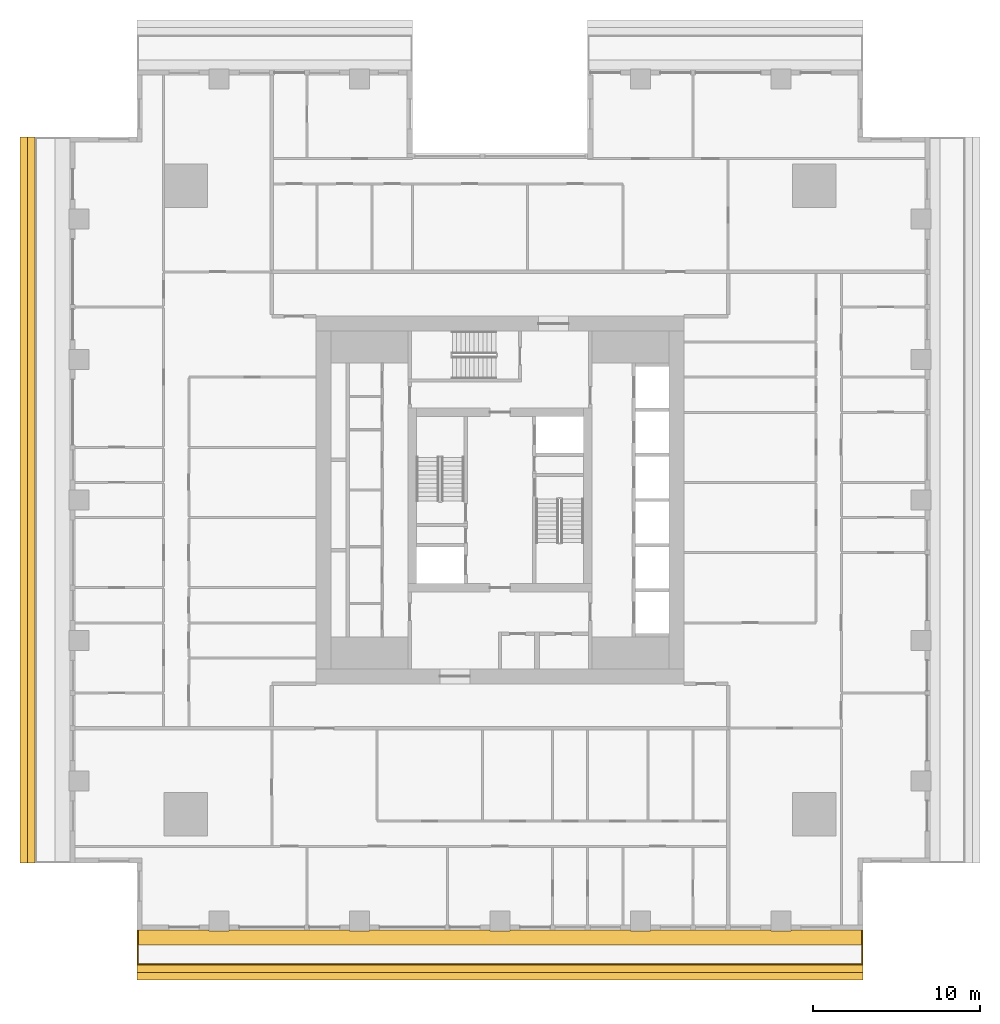
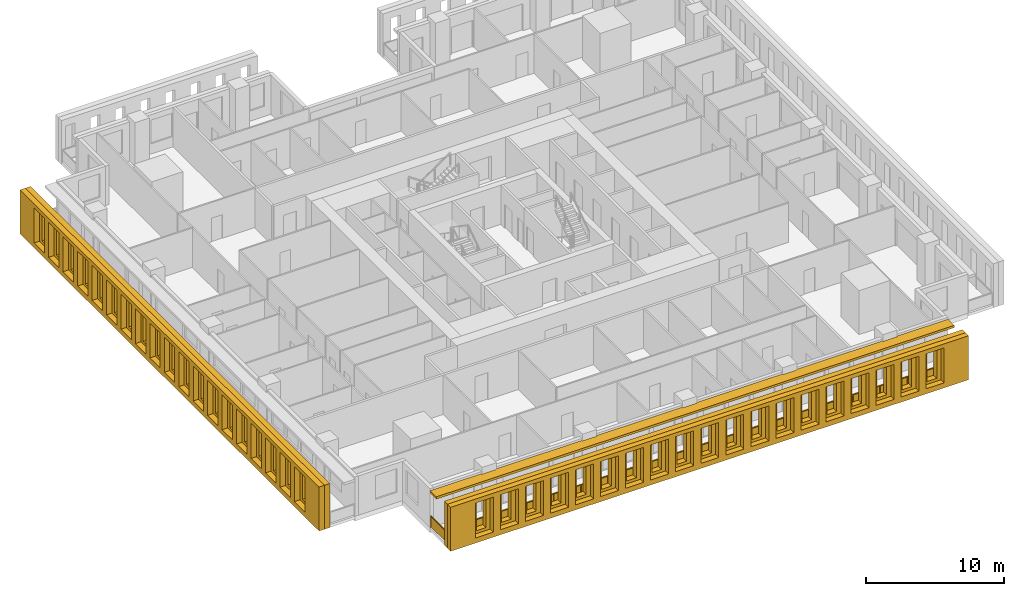
# One storey, part 10 of 15: 5 shading devices, 1 railing.
"""IFC4 building model written with IfcOpenShell, lengths in metres."""

from ifc_helpers import new_model, si_unit, direction, frame, origin, origin_2d, place, context, subcontext, project, spatial, polyline, rectangle, outline, extrude, material, layer, layer_set, type_object, element, save


model = new_model("IFC4")

# Units and contexts
model_context = context("Model", 3, precision=1e-05, world=origin(), true_north=direction((0.0, 1.0)))
body_context = subcontext(model_context, "Body", "Model", "MODEL_VIEW")
ifc_project = project(units=[si_unit("LENGTHUNIT", "METRE"), si_unit("AREAUNIT", "SQUARE_METRE"), si_unit("VOLUMEUNIT", "CUBIC_METRE"), si_unit("PLANEANGLEUNIT", "RADIAN"), si_unit("MASSUNIT", "GRAM", prefix="KILO")], contexts=[model_context])

# Site, building, storey
site_placement = place(None, origin())
site = spatial("IfcSite", under=ifc_project, at=site_placement, CompositionType="ELEMENT")
building_placement = place(site_placement, origin())
building = spatial("IfcBuilding", under=site, at=building_placement, Name="Khepri Terraces", CompositionType="ELEMENT")
storey_placement = place(building_placement, frame((0.0, 0.0, 145.5)))
storey = spatial("IfcBuildingStorey", under=building, at=storey_placement, Name="L34", CompositionType="ELEMENT", Elevation=145.5)

# Railing
ifc_material_1 = material(Name="Stainless steel grade 316", Category="steel")
railing_type = type_object("IfcRailingType", Name="GRD-BAL-1100", PredefinedType="GUARDRAIL", material=ifc_material_1)
railing_placement = place(storey_placement, frame((-21.669921875, -25.719970703125, 0.0)))
element("IfcRailing", 1, at=railing_placement, inside=storey, type_object=railing_type, Name="Balcony guard L34 S", PredefinedType="GUARDRAIL", context=body_context, shape_type="SweptSolid", body=[
    extrude(rectangle(XDim=0.050048828125, YDim=0.06005859375, at=origin_2d()), frame((0.0, 0.0, 1.070068359375), z_axis=(0.0, -1.0, 0.0), x_axis=(1.0, 0.0, 0.0)), (0.0, 0.0, 1.0), 2.050048828125),
    extrude(rectangle(XDim=2.0, YDim=0.011962890625, at=origin_2d()), frame((0.0, -1.02490234375, 0.10009765625), z_axis=(0.0, 0.0, 1.0), x_axis=(0.0, -1.0, 0.0)), (0.0, 0.0, 1.0), 0.93994140625),
    extrude(rectangle(XDim=0.050048828125, YDim=0.06005859375, at=origin_2d()), frame((0.0, -2.050048828125, 1.070068359375), z_axis=(1.0, 0.0, 0.0), x_axis=(0.0, 1.0, 0.0)), (0.0, 0.0, 1.0), 43.33984375),
    extrude(rectangle(XDim=2.23095703125, YDim=0.011962890625, at=origin_2d()), frame((1.140625, -2.050048828125, 0.10009765625), z_axis=(0.0, 0.0, 1.0), x_axis=(1.0, 0.0, 0.0)), (0.0, 0.0, 1.0), 0.93994140625),
    extrude(rectangle(XDim=2.23095703125, YDim=0.011962890625, at=origin_2d()), frame((3.421630859375, -2.050048828125, 0.10009765625), z_axis=(0.0, 0.0, 1.0), x_axis=(1.0, 0.0, 0.0)), (0.0, 0.0, 1.0), 0.93994140625),
    extrude(rectangle(XDim=2.23095703125, YDim=0.011962890625, at=origin_2d()), frame((5.70263671875, -2.050048828125, 0.10009765625), z_axis=(0.0, 0.0, 1.0), x_axis=(1.0, 0.0, 0.0)), (0.0, 0.0, 1.0), 0.93994140625),
    extrude(rectangle(XDim=2.23095703125, YDim=0.011962890625, at=origin_2d()), frame((7.983642578125, -2.050048828125, 0.10009765625), z_axis=(0.0, 0.0, 1.0), x_axis=(1.0, 0.0, 0.0)), (0.0, 0.0, 1.0), 0.93994140625),
    extrude(rectangle(XDim=2.23095703125, YDim=0.011962890625, at=origin_2d()), frame((10.2646484375, -2.050048828125, 0.10009765625), z_axis=(0.0, 0.0, 1.0), x_axis=(1.0, 0.0, 0.0)), (0.0, 0.0, 1.0), 0.93994140625),
    extrude(rectangle(XDim=2.23095703125, YDim=0.011962890625, at=origin_2d()), frame((12.545654296875, -2.050048828125, 0.10009765625), z_axis=(0.0, 0.0, 1.0), x_axis=(1.0, 0.0, 0.0)), (0.0, 0.0, 1.0), 0.93994140625),
    extrude(rectangle(XDim=2.23095703125, YDim=0.011962890625, at=origin_2d()), frame((14.826904296875, -2.050048828125, 0.10009765625), z_axis=(0.0, 0.0, 1.0), x_axis=(1.0, 0.0, 0.0)), (0.0, 0.0, 1.0), 0.93994140625),
    extrude(rectangle(XDim=2.23095703125, YDim=0.011962890625, at=origin_2d()), frame((17.10791015625, -2.050048828125, 0.10009765625), z_axis=(0.0, 0.0, 1.0), x_axis=(1.0, 0.0, 0.0)), (0.0, 0.0, 1.0), 0.93994140625),
    extrude(rectangle(XDim=2.23095703125, YDim=0.011962890625, at=origin_2d()), frame((19.388916015625, -2.050048828125, 0.10009765625), z_axis=(0.0, 0.0, 1.0), x_axis=(1.0, 0.0, 0.0)), (0.0, 0.0, 1.0), 0.93994140625),
    extrude(rectangle(XDim=2.23095703125, YDim=0.011962890625, at=origin_2d()), frame((21.669921875, -2.050048828125, 0.10009765625), z_axis=(0.0, 0.0, 1.0), x_axis=(1.0, 0.0, 0.0)), (0.0, 0.0, 1.0), 0.93994140625),
    extrude(rectangle(XDim=2.23095703125, YDim=0.011962890625, at=origin_2d()), frame((23.950927734375, -2.050048828125, 0.10009765625), z_axis=(0.0, 0.0, 1.0), x_axis=(1.0, 0.0, 0.0)), (0.0, 0.0, 1.0), 0.93994140625),
    extrude(rectangle(XDim=2.23095703125, YDim=0.011962890625, at=origin_2d()), frame((26.23193359375, -2.050048828125, 0.10009765625), z_axis=(0.0, 0.0, 1.0), x_axis=(1.0, 0.0, 0.0)), (0.0, 0.0, 1.0), 0.93994140625),
    extrude(rectangle(XDim=2.23095703125, YDim=0.011962890625, at=origin_2d()), frame((28.512939453125, -2.050048828125, 0.10009765625), z_axis=(0.0, 0.0, 1.0), x_axis=(1.0, 0.0, 0.0)), (0.0, 0.0, 1.0), 0.93994140625),
    extrude(rectangle(XDim=2.23095703125, YDim=0.011962890625, at=origin_2d()), frame((30.794189453125, -2.050048828125, 0.10009765625), z_axis=(0.0, 0.0, 1.0), x_axis=(1.0, 0.0, 0.0)), (0.0, 0.0, 1.0), 0.93994140625),
    extrude(rectangle(XDim=2.23095703125, YDim=0.011962890625, at=origin_2d()), frame((33.0751953125, -2.050048828125, 0.10009765625), z_axis=(0.0, 0.0, 1.0), x_axis=(1.0, 0.0, 0.0)), (0.0, 0.0, 1.0), 0.93994140625),
    extrude(rectangle(XDim=2.23095703125, YDim=0.011962890625, at=origin_2d()), frame((35.356201171875, -2.050048828125, 0.10009765625), z_axis=(0.0, 0.0, 1.0), x_axis=(1.0, 0.0, 0.0)), (0.0, 0.0, 1.0), 0.93994140625),
    extrude(rectangle(XDim=2.23095703125, YDim=0.011962890625, at=origin_2d()), frame((37.63720703125, -2.050048828125, 0.10009765625), z_axis=(0.0, 0.0, 1.0), x_axis=(1.0, 0.0, 0.0)), (0.0, 0.0, 1.0), 0.93994140625),
    extrude(rectangle(XDim=2.23095703125, YDim=0.011962890625, at=origin_2d()), frame((39.918212890625, -2.050048828125, 0.10009765625), z_axis=(0.0, 0.0, 1.0), x_axis=(1.0, 0.0, 0.0)), (0.0, 0.0, 1.0), 0.93994140625),
    extrude(rectangle(XDim=2.23095703125, YDim=0.011962890625, at=origin_2d()), frame((42.19921875, -2.050048828125, 0.10009765625), z_axis=(0.0, 0.0, 1.0), x_axis=(1.0, 0.0, 0.0)), (0.0, 0.0, 1.0), 0.93994140625),
    extrude(rectangle(XDim=0.050048828125, YDim=0.06005859375, at=origin_2d()), frame((43.33984375, -2.050048828125, 1.070068359375), z_axis=(0.0, 1.0, 0.0), x_axis=(-1.0, 0.0, 0.0)), (0.0, 0.0, 1.0), 2.050048828125),
    extrude(rectangle(XDim=2.0, YDim=0.011962890625, at=origin_2d()), frame((43.33984375, -1.02490234375, 0.10009765625), z_axis=(0.0, 0.0, 1.0), x_axis=(0.0, 1.0, 0.0)), (0.0, 0.0, 1.0), 0.93994140625),
    extrude(rectangle(XDim=0.050048828125, YDim=0.050048828125, at=origin_2d()), origin(), (0.0, 0.0, 1.0), 1.0400390625),
    extrude(rectangle(XDim=0.050048828125, YDim=0.050048828125, at=origin_2d()), frame((0.0, -2.050048828125, 0.0)), (0.0, 0.0, 1.0), 1.0400390625),
    extrude(rectangle(XDim=0.050048828125, YDim=0.050048828125, at=origin_2d()), frame((2.281005859375, -2.050048828125, 0.0)), (0.0, 0.0, 1.0), 1.0400390625),
    extrude(rectangle(XDim=0.050048828125, YDim=0.050048828125, at=origin_2d()), frame((4.56201171875, -2.050048828125, 0.0)), (0.0, 0.0, 1.0), 1.0400390625),
    extrude(rectangle(XDim=0.050048828125, YDim=0.050048828125, at=origin_2d()), frame((6.843017578125, -2.050048828125, 0.0)), (0.0, 0.0, 1.0), 1.0400390625),
    extrude(rectangle(XDim=0.050048828125, YDim=0.050048828125, at=origin_2d()), frame((9.124267578125, -2.050048828125, 0.0)), (0.0, 0.0, 1.0), 1.0400390625),
    extrude(rectangle(XDim=0.050048828125, YDim=0.050048828125, at=origin_2d()), frame((11.4052734375, -2.050048828125, 0.0)), (0.0, 0.0, 1.0), 1.0400390625),
    extrude(rectangle(XDim=0.050048828125, YDim=0.050048828125, at=origin_2d()), frame((13.686279296875, -2.050048828125, 0.0)), (0.0, 0.0, 1.0), 1.0400390625),
    extrude(rectangle(XDim=0.050048828125, YDim=0.050048828125, at=origin_2d()), frame((15.96728515625, -2.050048828125, 0.0)), (0.0, 0.0, 1.0), 1.0400390625),
    extrude(rectangle(XDim=0.050048828125, YDim=0.050048828125, at=origin_2d()), frame((18.248291015625, -2.050048828125, 0.0)), (0.0, 0.0, 1.0), 1.0400390625),
    extrude(rectangle(XDim=0.050048828125, YDim=0.050048828125, at=origin_2d()), frame((20.529296875, -2.050048828125, 0.0)), (0.0, 0.0, 1.0), 1.0400390625),
    extrude(rectangle(XDim=0.050048828125, YDim=0.050048828125, at=origin_2d()), frame((22.810546875, -2.050048828125, 0.0)), (0.0, 0.0, 1.0), 1.0400390625),
    extrude(rectangle(XDim=0.050048828125, YDim=0.050048828125, at=origin_2d()), frame((25.091552734375, -2.050048828125, 0.0)), (0.0, 0.0, 1.0), 1.0400390625),
    extrude(rectangle(XDim=0.050048828125, YDim=0.050048828125, at=origin_2d()), frame((27.37255859375, -2.050048828125, 0.0)), (0.0, 0.0, 1.0), 1.0400390625),
    extrude(rectangle(XDim=0.050048828125, YDim=0.050048828125, at=origin_2d()), frame((29.653564453125, -2.050048828125, 0.0)), (0.0, 0.0, 1.0), 1.0400390625),
    extrude(rectangle(XDim=0.050048828125, YDim=0.050048828125, at=origin_2d()), frame((31.9345703125, -2.050048828125, 0.0)), (0.0, 0.0, 1.0), 1.0400390625),
    extrude(rectangle(XDim=0.050048828125, YDim=0.050048828125, at=origin_2d()), frame((34.215576171875, -2.050048828125, 0.0)), (0.0, 0.0, 1.0), 1.0400390625),
    extrude(rectangle(XDim=0.050048828125, YDim=0.050048828125, at=origin_2d()), frame((36.496826171875, -2.050048828125, 0.0)), (0.0, 0.0, 1.0), 1.0400390625),
    extrude(rectangle(XDim=0.050048828125, YDim=0.050048828125, at=origin_2d()), frame((38.77783203125, -2.050048828125, 0.0)), (0.0, 0.0, 1.0), 1.0400390625),
    extrude(rectangle(XDim=0.050048828125, YDim=0.050048828125, at=origin_2d()), frame((41.058837890625, -2.050048828125, 0.0)), (0.0, 0.0, 1.0), 1.0400390625),
    extrude(rectangle(XDim=0.050048828125, YDim=0.050048828125, at=origin_2d()), frame((43.33984375, -2.050048828125, 0.0)), (0.0, 0.0, 1.0), 1.0400390625),
    extrude(rectangle(XDim=0.050048828125, YDim=0.050048828125, at=origin_2d()), frame((43.33984375, 0.0, 0.0)), (0.0, 0.0, 1.0), 1.0400390625),
])

# Shading devices
ifc_material_2 = material(Name="Precast concrete C50/60 warm stone", Category="masonry")
shading_device_type_1 = type_object("IfcShadingDeviceType", Name="SCR-CELL-INNER-450", PredefinedType="USERDEFINED", material=ifc_material_2)
shading_device_1_placement = place(storey_placement, frame((-21.719970703125, -27.820068359375, -0.25), z_axis=(0.0, -1.0, 0.0), x_axis=(1.0, 0.0, 0.0)))
element("IfcShadingDevice", 2, at=shading_device_1_placement, inside=storey, type_object=shading_device_type_1, Name="Cell screen L34 S in", ObjectType="SCREEN", PredefinedType="USERDEFINED", context=body_context, shape_type="SweptSolid", body=[
    extrude(outline(polyline([(0.0, 0.0), (43.43994140625, 0.0), (43.43994140625, 3.89990234375), (0.0, 3.89990234375), (0.0, 0.0)]), holes=[polyline([(0.318359375, 0.699951171875), (1.12158203125, 0.699951171875), (1.12158203125, 3.300048828125), (0.318359375, 3.300048828125), (0.318359375, 0.699951171875)]), polyline([(2.41845703125, 0.699951171875), (3.2216796875, 0.699951171875), (3.2216796875, 3.300048828125), (2.41845703125, 3.300048828125), (2.41845703125, 0.699951171875)]), polyline([(4.518310546875, 0.699951171875), (5.321533203125, 0.699951171875), (5.321533203125, 3.300048828125), (4.518310546875, 3.300048828125), (4.518310546875, 0.699951171875)]), polyline([(6.618408203125, 0.699951171875), (7.421630859375, 0.699951171875), (7.421630859375, 3.300048828125), (6.618408203125, 3.300048828125), (6.618408203125, 0.699951171875)]), polyline([(8.718505859375, 0.699951171875), (9.521484375, 0.699951171875), (9.521484375, 3.300048828125), (8.718505859375, 3.300048828125), (8.718505859375, 0.699951171875)]), polyline([(10.818359375, 0.699951171875), (11.62158203125, 0.699951171875), (11.62158203125, 3.300048828125), (10.818359375, 3.300048828125), (10.818359375, 0.699951171875)]), polyline([(12.91845703125, 0.699951171875), (13.7216796875, 0.699951171875), (13.7216796875, 3.300048828125), (12.91845703125, 3.300048828125), (12.91845703125, 0.699951171875)]), polyline([(15.018310546875, 0.699951171875), (15.821533203125, 0.699951171875), (15.821533203125, 3.300048828125), (15.018310546875, 3.300048828125), (15.018310546875, 0.699951171875)]), polyline([(17.118408203125, 0.699951171875), (17.921630859375, 0.699951171875), (17.921630859375, 3.300048828125), (17.118408203125, 3.300048828125), (17.118408203125, 0.699951171875)]), polyline([(19.218505859375, 0.699951171875), (20.021484375, 0.699951171875), (20.021484375, 3.300048828125), (19.218505859375, 3.300048828125), (19.218505859375, 0.699951171875)]), polyline([(21.318359375, 0.699951171875), (22.12158203125, 0.699951171875), (22.12158203125, 3.300048828125), (21.318359375, 3.300048828125), (21.318359375, 0.699951171875)]), polyline([(23.41845703125, 0.699951171875), (24.2216796875, 0.699951171875), (24.2216796875, 3.300048828125), (23.41845703125, 3.300048828125), (23.41845703125, 0.699951171875)]), polyline([(25.518310546875, 0.699951171875), (26.321533203125, 0.699951171875), (26.321533203125, 3.300048828125), (25.518310546875, 3.300048828125), (25.518310546875, 0.699951171875)]), polyline([(27.618408203125, 0.699951171875), (28.421630859375, 0.699951171875), (28.421630859375, 3.300048828125), (27.618408203125, 3.300048828125), (27.618408203125, 0.699951171875)]), polyline([(29.718505859375, 0.699951171875), (30.521484375, 0.699951171875), (30.521484375, 3.300048828125), (29.718505859375, 3.300048828125), (29.718505859375, 0.699951171875)]), polyline([(31.818359375, 0.699951171875), (32.62158203125, 0.699951171875), (32.62158203125, 3.300048828125), (31.818359375, 3.300048828125), (31.818359375, 0.699951171875)]), polyline([(33.91845703125, 0.699951171875), (34.7216796875, 0.699951171875), (34.7216796875, 3.300048828125), (33.91845703125, 3.300048828125), (33.91845703125, 0.699951171875)]), polyline([(36.018310546875, 0.699951171875), (36.821533203125, 0.699951171875), (36.821533203125, 3.300048828125), (36.018310546875, 3.300048828125), (36.018310546875, 0.699951171875)]), polyline([(38.118408203125, 0.699951171875), (38.921630859375, 0.699951171875), (38.921630859375, 3.300048828125), (38.118408203125, 3.300048828125), (38.118408203125, 0.699951171875)]), polyline([(40.218505859375, 0.699951171875), (41.021484375, 0.699951171875), (41.021484375, 3.300048828125), (40.218505859375, 3.300048828125), (40.218505859375, 0.699951171875)]), polyline([(42.318359375, 0.699951171875), (43.12158203125, 0.699951171875), (43.12158203125, 3.300048828125), (42.318359375, 3.300048828125), (42.318359375, 0.699951171875)])]), origin(), (0.0, 0.0, 1.0), 0.449951171875),
])
shading_device_2_placement = place(storey_placement, frame((-27.820068359375, 21.719970703125, -0.25), z_axis=(-1.0, 0.0, 0.0), x_axis=(0.0, -1.0, 0.0)))
element("IfcShadingDevice", 3, at=shading_device_2_placement, inside=storey, type_object=shading_device_type_1, Name="Cell screen L34 W in", ObjectType="SCREEN", PredefinedType="USERDEFINED", context=body_context, shape_type="SweptSolid", body=[
    extrude(outline(polyline([(0.0, 0.0), (43.43994140625, 0.0), (43.43994140625, 3.89990234375), (0.0, 3.89990234375), (0.0, 0.0)]), holes=[polyline([(0.318359375, 0.699951171875), (1.12158203125, 0.699951171875), (1.12158203125, 3.300048828125), (0.318359375, 3.300048828125), (0.318359375, 0.699951171875)]), polyline([(2.41845703125, 0.699951171875), (3.2216796875, 0.699951171875), (3.2216796875, 3.300048828125), (2.41845703125, 3.300048828125), (2.41845703125, 0.699951171875)]), polyline([(4.518310546875, 0.699951171875), (5.321533203125, 0.699951171875), (5.321533203125, 3.300048828125), (4.518310546875, 3.300048828125), (4.518310546875, 0.699951171875)]), polyline([(6.618408203125, 0.699951171875), (7.421630859375, 0.699951171875), (7.421630859375, 3.300048828125), (6.618408203125, 3.300048828125), (6.618408203125, 0.699951171875)]), polyline([(8.718505859375, 0.699951171875), (9.521484375, 0.699951171875), (9.521484375, 3.300048828125), (8.718505859375, 3.300048828125), (8.718505859375, 0.699951171875)]), polyline([(10.818359375, 0.699951171875), (11.62158203125, 0.699951171875), (11.62158203125, 3.300048828125), (10.818359375, 3.300048828125), (10.818359375, 0.699951171875)]), polyline([(12.91845703125, 0.699951171875), (13.7216796875, 0.699951171875), (13.7216796875, 3.300048828125), (12.91845703125, 3.300048828125), (12.91845703125, 0.699951171875)]), polyline([(15.018310546875, 0.699951171875), (15.821533203125, 0.699951171875), (15.821533203125, 3.300048828125), (15.018310546875, 3.300048828125), (15.018310546875, 0.699951171875)]), polyline([(17.118408203125, 0.699951171875), (17.921630859375, 0.699951171875), (17.921630859375, 3.300048828125), (17.118408203125, 3.300048828125), (17.118408203125, 0.699951171875)]), polyline([(19.218505859375, 0.699951171875), (20.021484375, 0.699951171875), (20.021484375, 3.300048828125), (19.218505859375, 3.300048828125), (19.218505859375, 0.699951171875)]), polyline([(21.318359375, 0.699951171875), (22.12158203125, 0.699951171875), (22.12158203125, 3.300048828125), (21.318359375, 3.300048828125), (21.318359375, 0.699951171875)]), polyline([(23.41845703125, 0.699951171875), (24.2216796875, 0.699951171875), (24.2216796875, 3.300048828125), (23.41845703125, 3.300048828125), (23.41845703125, 0.699951171875)]), polyline([(25.518310546875, 0.699951171875), (26.321533203125, 0.699951171875), (26.321533203125, 3.300048828125), (25.518310546875, 3.300048828125), (25.518310546875, 0.699951171875)]), polyline([(27.618408203125, 0.699951171875), (28.421630859375, 0.699951171875), (28.421630859375, 3.300048828125), (27.618408203125, 3.300048828125), (27.618408203125, 0.699951171875)]), polyline([(29.718505859375, 0.699951171875), (30.521484375, 0.699951171875), (30.521484375, 3.300048828125), (29.718505859375, 3.300048828125), (29.718505859375, 0.699951171875)]), polyline([(31.818359375, 0.699951171875), (32.62158203125, 0.699951171875), (32.62158203125, 3.300048828125), (31.818359375, 3.300048828125), (31.818359375, 0.699951171875)]), polyline([(33.91845703125, 0.699951171875), (34.7216796875, 0.699951171875), (34.7216796875, 3.300048828125), (33.91845703125, 3.300048828125), (33.91845703125, 0.699951171875)]), polyline([(36.018310546875, 0.699951171875), (36.821533203125, 0.699951171875), (36.821533203125, 3.300048828125), (36.018310546875, 3.300048828125), (36.018310546875, 0.699951171875)]), polyline([(38.118408203125, 0.699951171875), (38.921630859375, 0.699951171875), (38.921630859375, 3.300048828125), (38.118408203125, 3.300048828125), (38.118408203125, 0.699951171875)]), polyline([(40.218505859375, 0.699951171875), (41.021484375, 0.699951171875), (41.021484375, 3.300048828125), (40.218505859375, 3.300048828125), (40.218505859375, 0.699951171875)]), polyline([(42.318359375, 0.699951171875), (43.12158203125, 0.699951171875), (43.12158203125, 3.300048828125), (42.318359375, 3.300048828125), (42.318359375, 0.699951171875)])]), origin(), (0.0, 0.0, 1.0), 0.449951171875),
])
shading_device_type_2 = type_object("IfcShadingDeviceType", Name="SCR-CELL-OUTER-450", PredefinedType="USERDEFINED", material=ifc_material_2)
shading_device_3_placement = place(storey_placement, frame((-21.719970703125, -28.27001953125, -0.25), z_axis=(0.0, -1.0, 0.0), x_axis=(1.0, 0.0, 0.0)))
element("IfcShadingDevice", 4, at=shading_device_3_placement, inside=storey, type_object=shading_device_type_2, Name="Cell screen L34 S out", ObjectType="SCREEN", PredefinedType="USERDEFINED", context=body_context, shape_type="SweptSolid", body=[
    extrude(outline(polyline([(0.0, 0.0), (43.43994140625, 0.0), (43.43994140625, 3.89990234375), (0.0, 3.89990234375), (0.0, 0.0)]), holes=[polyline([(2.068359375, 0.449951171875), (3.571533203125, 0.449951171875), (3.571533203125, 3.550048828125), (2.068359375, 3.550048828125), (2.068359375, 0.449951171875)]), polyline([(4.16845703125, 0.449951171875), (5.671630859375, 0.449951171875), (5.671630859375, 3.550048828125), (4.16845703125, 3.550048828125), (4.16845703125, 0.449951171875)]), polyline([(6.268310546875, 0.449951171875), (7.771484375, 0.449951171875), (7.771484375, 3.550048828125), (6.268310546875, 3.550048828125), (6.268310546875, 0.449951171875)]), polyline([(8.368408203125, 0.449951171875), (9.87158203125, 0.449951171875), (9.87158203125, 3.550048828125), (8.368408203125, 3.550048828125), (8.368408203125, 0.449951171875)]), polyline([(10.468505859375, 0.449951171875), (11.9716796875, 0.449951171875), (11.9716796875, 3.550048828125), (10.468505859375, 3.550048828125), (10.468505859375, 0.449951171875)]), polyline([(12.568359375, 0.449951171875), (14.071533203125, 0.449951171875), (14.071533203125, 3.550048828125), (12.568359375, 3.550048828125), (12.568359375, 0.449951171875)]), polyline([(14.66845703125, 0.449951171875), (16.171630859375, 0.449951171875), (16.171630859375, 3.550048828125), (14.66845703125, 3.550048828125), (14.66845703125, 0.449951171875)]), polyline([(16.768310546875, 0.449951171875), (18.271484375, 0.449951171875), (18.271484375, 3.550048828125), (16.768310546875, 3.550048828125), (16.768310546875, 0.449951171875)]), polyline([(18.868408203125, 0.449951171875), (20.37158203125, 0.449951171875), (20.37158203125, 3.550048828125), (18.868408203125, 3.550048828125), (18.868408203125, 0.449951171875)]), polyline([(20.968505859375, 0.449951171875), (22.4716796875, 0.449951171875), (22.4716796875, 3.550048828125), (20.968505859375, 3.550048828125), (20.968505859375, 0.449951171875)]), polyline([(23.068359375, 0.449951171875), (24.571533203125, 0.449951171875), (24.571533203125, 3.550048828125), (23.068359375, 3.550048828125), (23.068359375, 0.449951171875)]), polyline([(25.16845703125, 0.449951171875), (26.671630859375, 0.449951171875), (26.671630859375, 3.550048828125), (25.16845703125, 3.550048828125), (25.16845703125, 0.449951171875)]), polyline([(27.268310546875, 0.449951171875), (28.771484375, 0.449951171875), (28.771484375, 3.550048828125), (27.268310546875, 3.550048828125), (27.268310546875, 0.449951171875)]), polyline([(29.368408203125, 0.449951171875), (30.87158203125, 0.449951171875), (30.87158203125, 3.550048828125), (29.368408203125, 3.550048828125), (29.368408203125, 0.449951171875)]), polyline([(31.468505859375, 0.449951171875), (32.9716796875, 0.449951171875), (32.9716796875, 3.550048828125), (31.468505859375, 3.550048828125), (31.468505859375, 0.449951171875)]), polyline([(33.568359375, 0.449951171875), (35.071533203125, 0.449951171875), (35.071533203125, 3.550048828125), (33.568359375, 3.550048828125), (33.568359375, 0.449951171875)]), polyline([(35.66845703125, 0.449951171875), (37.171630859375, 0.449951171875), (37.171630859375, 3.550048828125), (35.66845703125, 3.550048828125), (35.66845703125, 0.449951171875)]), polyline([(37.768310546875, 0.449951171875), (39.271484375, 0.449951171875), (39.271484375, 3.550048828125), (37.768310546875, 3.550048828125), (37.768310546875, 0.449951171875)]), polyline([(39.868408203125, 0.449951171875), (41.37158203125, 0.449951171875), (41.37158203125, 3.550048828125), (39.868408203125, 3.550048828125), (39.868408203125, 0.449951171875)])]), origin(), (0.0, 0.0, 1.0), 0.449951171875),
])
shading_device_4_placement = place(storey_placement, frame((-28.27001953125, 21.719970703125, -0.25), z_axis=(-1.0, 0.0, 0.0), x_axis=(0.0, -1.0, 0.0)))
element("IfcShadingDevice", 5, at=shading_device_4_placement, inside=storey, type_object=shading_device_type_2, Name="Cell screen L34 W out", ObjectType="SCREEN", PredefinedType="USERDEFINED", context=body_context, shape_type="SweptSolid", body=[
    extrude(outline(polyline([(0.0, 0.0), (43.43994140625, 0.0), (43.43994140625, 3.89990234375), (0.0, 3.89990234375), (0.0, 0.0)]), holes=[polyline([(2.068359375, 0.449951171875), (3.571533203125, 0.449951171875), (3.571533203125, 3.550048828125), (2.068359375, 3.550048828125), (2.068359375, 0.449951171875)]), polyline([(4.16845703125, 0.449951171875), (5.671630859375, 0.449951171875), (5.671630859375, 3.550048828125), (4.16845703125, 3.550048828125), (4.16845703125, 0.449951171875)]), polyline([(6.268310546875, 0.449951171875), (7.771484375, 0.449951171875), (7.771484375, 3.550048828125), (6.268310546875, 3.550048828125), (6.268310546875, 0.449951171875)]), polyline([(8.368408203125, 0.449951171875), (9.87158203125, 0.449951171875), (9.87158203125, 3.550048828125), (8.368408203125, 3.550048828125), (8.368408203125, 0.449951171875)]), polyline([(10.468505859375, 0.449951171875), (11.9716796875, 0.449951171875), (11.9716796875, 3.550048828125), (10.468505859375, 3.550048828125), (10.468505859375, 0.449951171875)]), polyline([(12.568359375, 0.449951171875), (14.071533203125, 0.449951171875), (14.071533203125, 3.550048828125), (12.568359375, 3.550048828125), (12.568359375, 0.449951171875)]), polyline([(14.66845703125, 0.449951171875), (16.171630859375, 0.449951171875), (16.171630859375, 3.550048828125), (14.66845703125, 3.550048828125), (14.66845703125, 0.449951171875)]), polyline([(16.768310546875, 0.449951171875), (18.271484375, 0.449951171875), (18.271484375, 3.550048828125), (16.768310546875, 3.550048828125), (16.768310546875, 0.449951171875)]), polyline([(18.868408203125, 0.449951171875), (20.37158203125, 0.449951171875), (20.37158203125, 3.550048828125), (18.868408203125, 3.550048828125), (18.868408203125, 0.449951171875)]), polyline([(20.968505859375, 0.449951171875), (22.4716796875, 0.449951171875), (22.4716796875, 3.550048828125), (20.968505859375, 3.550048828125), (20.968505859375, 0.449951171875)]), polyline([(23.068359375, 0.449951171875), (24.571533203125, 0.449951171875), (24.571533203125, 3.550048828125), (23.068359375, 3.550048828125), (23.068359375, 0.449951171875)]), polyline([(25.16845703125, 0.449951171875), (26.671630859375, 0.449951171875), (26.671630859375, 3.550048828125), (25.16845703125, 3.550048828125), (25.16845703125, 0.449951171875)]), polyline([(27.268310546875, 0.449951171875), (28.771484375, 0.449951171875), (28.771484375, 3.550048828125), (27.268310546875, 3.550048828125), (27.268310546875, 0.449951171875)]), polyline([(29.368408203125, 0.449951171875), (30.87158203125, 0.449951171875), (30.87158203125, 3.550048828125), (29.368408203125, 3.550048828125), (29.368408203125, 0.449951171875)]), polyline([(31.468505859375, 0.449951171875), (32.9716796875, 0.449951171875), (32.9716796875, 3.550048828125), (31.468505859375, 3.550048828125), (31.468505859375, 0.449951171875)]), polyline([(33.568359375, 0.449951171875), (35.071533203125, 0.449951171875), (35.071533203125, 3.550048828125), (33.568359375, 3.550048828125), (33.568359375, 0.449951171875)]), polyline([(35.66845703125, 0.449951171875), (37.171630859375, 0.449951171875), (37.171630859375, 3.550048828125), (35.66845703125, 3.550048828125), (35.66845703125, 0.449951171875)]), polyline([(37.768310546875, 0.449951171875), (39.271484375, 0.449951171875), (39.271484375, 3.550048828125), (37.768310546875, 3.550048828125), (37.768310546875, 0.449951171875)]), polyline([(39.868408203125, 0.449951171875), (41.37158203125, 0.449951171875), (41.37158203125, 3.550048828125), (39.868408203125, 3.550048828125), (39.868408203125, 0.449951171875)])]), origin(), (0.0, 0.0, 1.0), 0.449951171875),
])
ifc_layer = layer(ifc_material_2, 0.199951171875, Name="Precast concrete C50/60 warm stone", Category="masonry")
ifc_layer_set = layer_set([ifc_layer], Name="Precast concrete C50/60 warm stone")
shading_device_type_3 = type_object("IfcShadingDeviceType", Name="SSH-BAND-STONE-200", PredefinedType="USERDEFINED", material=ifc_layer_set)
shading_device_5_placement = place(storey_placement, frame((0.0, 0.0, 3.10009765625)))
element("IfcShadingDevice", 6, at=shading_device_5_placement, inside=storey, type_object=shading_device_type_3, Name="Sunshade band L34 S", ObjectType="SUNSHADE", PredefinedType="USERDEFINED", context=body_context, shape_type="SweptSolid", body=[
    extrude(outline(polyline([(-17.39990234375, -25.719970703125), (-21.719970703125, -25.719970703125), (-21.719970703125, -26.6201171875), (21.719970703125, -26.6201171875), (21.719970703125, -25.719970703125), (17.39990234375, -25.719970703125), (17.39990234375, -25.800048828125), (16.199951171875, -25.800048828125), (16.199951171875, -25.719970703125), (9.0, -25.719970703125), (9.0, -25.800048828125), (7.800048828125, -25.800048828125), (7.800048828125, -25.719970703125), (0.60009765625, -25.719970703125), (0.60009765625, -25.800048828125), (-0.60009765625, -25.800048828125), (-0.60009765625, -25.719970703125), (-7.800048828125, -25.719970703125), (-7.800048828125, -25.800048828125), (-9.0, -25.800048828125), (-9.0, -25.719970703125), (-16.199951171875, -25.719970703125), (-16.199951171875, -25.800048828125), (-17.39990234375, -25.800048828125), (-17.39990234375, -25.719970703125)])), origin(), (0.0, 0.0, 1.0), 0.199951171875),
])

save(model, "model.ifc")
